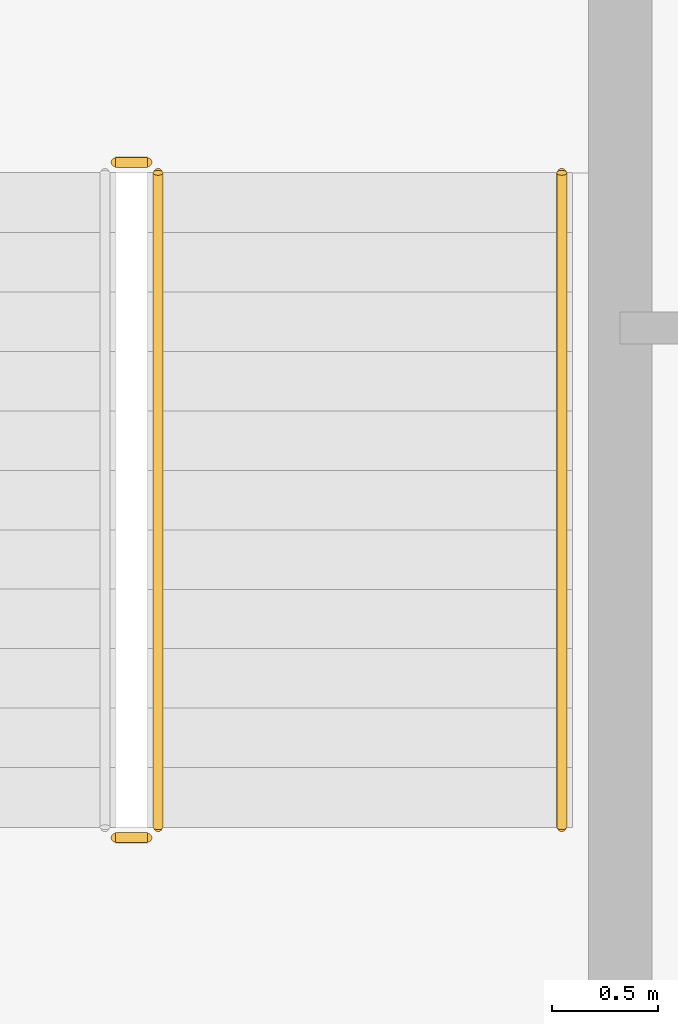
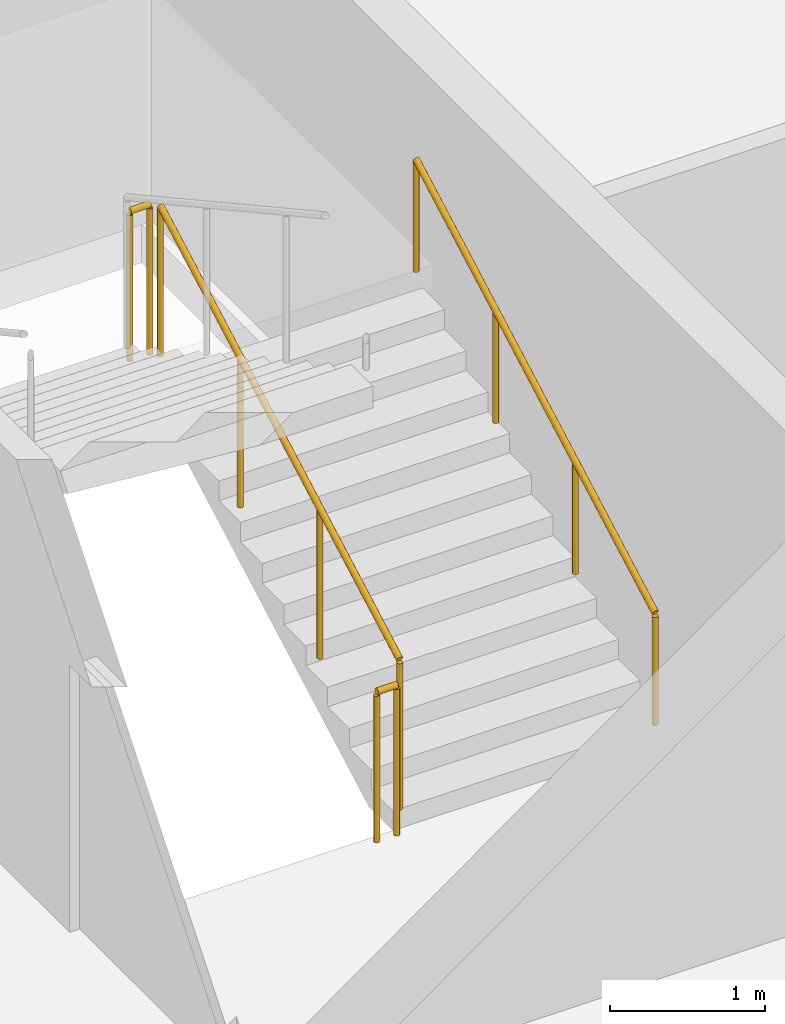
# One storey, part 14 of 14: 4 railings.
"""IFC4 building model written with IfcOpenShell, lengths in metres."""

from ifc_helpers import new_model, si_unit, direction, frame, origin, origin_2d, place, context, subcontext, project, spatial, circle, extrude, material, type_object, element, save


model = new_model("IFC4")

# Units and contexts
model_context = context("Model", 3, precision=1e-05, world=origin(), true_north=direction((0.0, 1.0)))
body_context = subcontext(model_context, "Body", "Model", "MODEL_VIEW")
ifc_project = project(units=[si_unit("LENGTHUNIT", "METRE"), si_unit("AREAUNIT", "SQUARE_METRE"), si_unit("VOLUMEUNIT", "CUBIC_METRE"), si_unit("PLANEANGLEUNIT", "RADIAN"), si_unit("MASSUNIT", "GRAM", prefix="KILO")], contexts=[model_context])

# Site, building, storey
site_placement = place(None, origin())
site = spatial("IfcSite", under=ifc_project, at=site_placement, CompositionType="ELEMENT")
building_placement = place(site_placement, origin())
building = spatial("IfcBuilding", under=site, at=building_placement, Name="Caravel Reach Hotel and Residences", CompositionType="ELEMENT")
storey_placement = place(building_placement, frame((0.0, 0.0, 183.89990234375)))
storey = spatial("IfcBuildingStorey", under=building, at=storey_placement, Name="L46", CompositionType="ELEMENT", Elevation=183.89990234375)

# Railings
ifc_material_1 = material(Name="Steel balustrade with glass infill", Category="steel")
railing_type_1 = type_object("IfcRailingType", Name="Guard 1200", PredefinedType="GUARDRAIL", material=ifc_material_1)
railing_1_placement = place(storey_placement, frame((42.824951171875, 24.64990234375, 0.154296875)))
element("IfcRailing", 1, at=railing_1_placement, inside=storey, type_object=railing_type_1, Name="L46 ST-B stair guard 1", PredefinedType="GUARDRAIL", context=body_context, shape_type="SweptSolid", body=[
    extrude(circle(Radius=0.02392578125, at=origin_2d()), frame((0.0, 0.0, 1.17578125), z_axis=(0.0, 0.876004717809, 0.482302534076), x_axis=(-1.0, 0.0, 0.0)), (0.0, 0.0, 1.0), 3.51611328125),
    extrude(circle(Radius=0.02099609375, at=origin_2d()), origin(), (0.0, 0.0, 1.0), 1.15185546875),
    extrude(circle(Radius=0.02099609375, at=origin_2d()), frame((0.0, 1.026611328125, 0.565185546875)), (0.0, 0.0, 1.0), 1.15185546875),
    extrude(circle(Radius=0.02099609375, at=origin_2d()), frame((0.0, 2.053466796875, 1.130615234375)), (0.0, 0.0, 1.0), 1.15185546875),
    extrude(circle(Radius=0.02099609375, at=origin_2d()), frame((0.0, 3.080078125, 1.69580078125)), (0.0, 0.0, 1.0), 1.15185546875),
])
for number, where, name in (
    (2, (42.77490234375, 27.780029296875, 1.85009765625), "L46 ST-B stair guard 2"),
    (3, (42.77490234375, 24.60009765625, 0.0), "L46 ST-B stair guard 4"),
):
    element("IfcRailing", number, at=place(storey_placement, frame(where)), inside=storey, type_object=railing_type_1, Name=name, PredefinedType="GUARDRAIL", context=body_context, shape_type="SweptSolid", body=[
        extrude(circle(Radius=0.02392578125, at=origin_2d()), frame((0.0, 0.0, 1.17578125), z_axis=(-1.0, 0.0, 0.0), x_axis=(0.0, -1.0, 0.0)), (0.0, 0.0, 1.0), 0.14990234375),
        extrude(circle(Radius=0.02099609375, at=origin_2d()), origin(), (0.0, 0.0, 1.0), 1.15185546875),
        extrude(circle(Radius=0.02099609375, at=origin_2d()), frame((-0.14990234375, 0.0, 0.0)), (0.0, 0.0, 1.0), 1.15185546875),
    ])
ifc_material_2 = material(Name="Stainless steel handrail", Category="steel")
railing_type_2 = type_object("IfcRailingType", Name="Handrail 900", PredefinedType="HANDRAIL", material=ifc_material_2)
railing_2_placement = place(storey_placement, frame((44.72509765625, 24.64990234375, 0.154296875)))
element("IfcRailing", 4, at=railing_2_placement, inside=storey, type_object=railing_type_2, Name="L46 ST-B stair handrail 1", PredefinedType="HANDRAIL", context=body_context, shape_type="SweptSolid", body=[
    extrude(circle(Radius=0.02392578125, at=origin_2d()), frame((0.0, 0.0, 0.8759765625), z_axis=(0.0, 0.876004717809, 0.482302534076), x_axis=(-1.0, 0.0, 0.0)), (0.0, 0.0, 1.0), 3.51611328125),
    extrude(circle(Radius=0.02099609375, at=origin_2d()), origin(), (0.0, 0.0, 1.0), 0.851806640625),
    extrude(circle(Radius=0.02099609375, at=origin_2d()), frame((0.0, 1.026611328125, 0.565185546875)), (0.0, 0.0, 1.0), 0.851806640625),
    extrude(circle(Radius=0.02099609375, at=origin_2d()), frame((0.0, 2.053466796875, 1.130615234375)), (0.0, 0.0, 1.0), 0.851806640625),
    extrude(circle(Radius=0.02099609375, at=origin_2d()), frame((0.0, 3.080078125, 1.69580078125)), (0.0, 0.0, 1.0), 0.851806640625),
])

save(model, "model.ifc")
